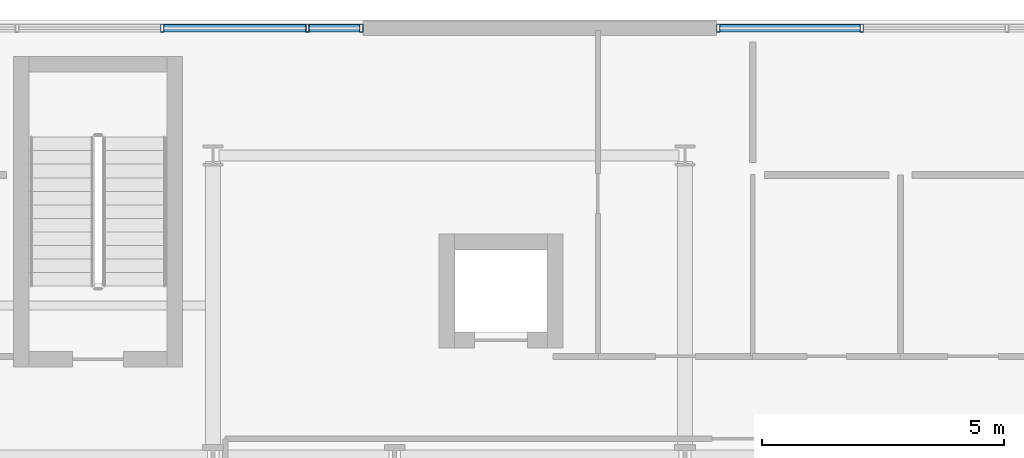
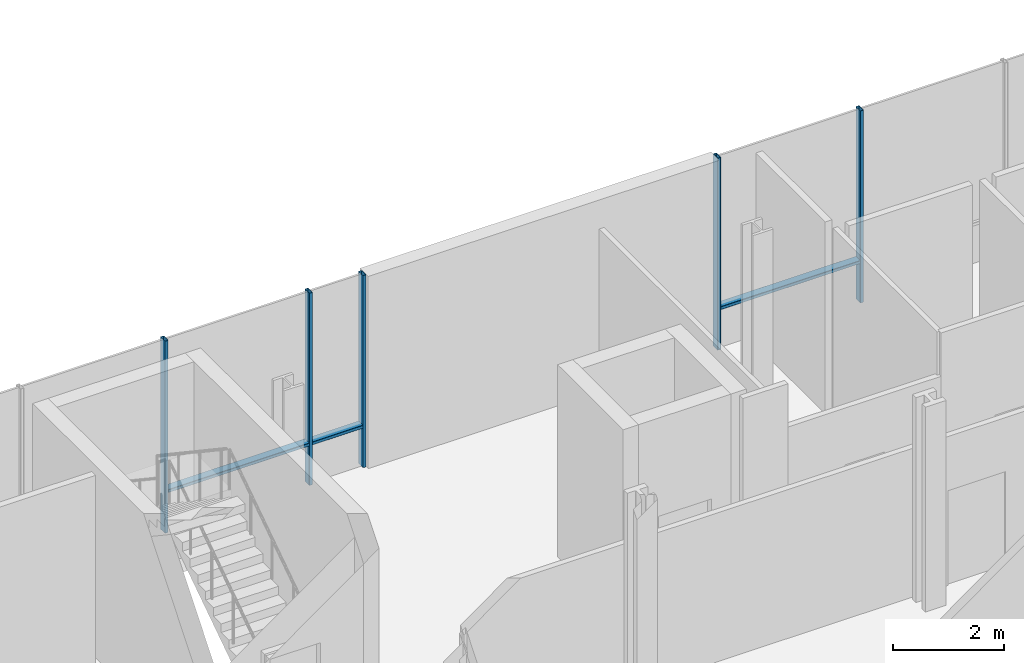
# One storey, part 11 of 25: 8 members, 2 elements without a shape of their own.
"""IFC4 building model written with IfcOpenShell, lengths in metres."""

from ifc_helpers import new_model, si_unit, direction, frame, origin, origin_2d, place, context, subcontext, project, spatial, hollow_rectangle, extrude, material, layer, layer_set, material_profile, profile_set, type_object, element, aggregate, save


model = new_model("IFC4")

# Units and contexts
model_context = context("Model", 3, precision=1e-05, world=origin(), true_north=direction((0.0, 1.0)))
body_context = subcontext(model_context, "Body", "Model", "MODEL_VIEW")
ifc_project = project(units=[si_unit("LENGTHUNIT", "METRE"), si_unit("AREAUNIT", "SQUARE_METRE"), si_unit("VOLUMEUNIT", "CUBIC_METRE"), si_unit("PLANEANGLEUNIT", "RADIAN"), si_unit("MASSUNIT", "GRAM", prefix="KILO")], contexts=[model_context])

# Site, building, storey
site_placement = place(None, origin())
site = spatial("IfcSite", under=ifc_project, at=site_placement, CompositionType="ELEMENT")
building_placement = place(site_placement, origin())
building = spatial("IfcBuilding", under=site, at=building_placement, Name="Brevholm Reach", CompositionType="ELEMENT")
storey_placement = place(building_placement, frame((0.0, 0.0, 4.5)))
storey = spatial("IfcBuildingStorey", under=building, at=storey_placement, Name="L01", CompositionType="ELEMENT", Elevation=4.5)

# Curtain wall, members
ifc_material_1 = material(Name="Dark Anodised Aluminium 6063-T6 and Solar-Control Glass", Category="aluminium")
ifc_layer = layer(ifc_material_1, 0.1650390625)
ifc_layer_set = layer_set([ifc_layer], Name="Dark Anodised Aluminium 6063-T6 and Solar-Control Glass")
curtain_wall_type = type_object("IfcCurtainWallType", Name="CW-03", PredefinedType="NOTDEFINED", material=ifc_layer_set)
curtain_wall_1_placement = place(storey_placement, origin())
curtain_wall_1 = element("IfcCurtainWall", 1, at=curtain_wall_1_placement, inside=storey, type_object=curtain_wall_type, Name="L01 Curtain Wall CW-03", PredefinedType="NOTDEFINED")
ifc_material_2 = material(Name="Dark Anodised Aluminium 6063-T6", Category="aluminium")
ifc_material_profile_1 = material_profile(ifc_material_2, hollow_rectangle(XDim=0.070068359375, YDim=0.1650390625, WallThickness=0.0048828125, InnerFilletRadius=0.0048828125, OuterFilletRadius=0.010009765625, at=origin_2d()), Name="RHS 165x70x5")
ifc_profile_set_1 = profile_set([ifc_material_profile_1], Name="Dark Anodised Aluminium 6063-T6")
member_type_1 = type_object("IfcMemberType", Name="CWM-165", PredefinedType="MULLION", material=ifc_profile_set_1)
member_1_placement = place(storey_placement, frame((37.199951171875, 39.830078125, 0.0), z_axis=(0.0, 0.0, 1.0), x_axis=(1.0, 0.0, 0.0)))
member_1 = element("IfcMember", 2, at=member_1_placement, type_object=member_type_1, Name="CM-165 Mullion 4", PredefinedType="MULLION", context=body_context, shape_type="SweptSolid", body=[
    extrude(hollow_rectangle(XDim=0.070068359375, YDim=0.1650390625, WallThickness=0.0048828125, InnerFilletRadius=0.0048828125, OuterFilletRadius=0.010009765625, at=origin_2d()), origin(), (0.0, 0.0, 1.0), 4.219970703125),
])
member_2_placement = place(storey_placement, frame((40.199951171875, 39.830078125, 0.0), z_axis=(0.0, 0.0, 1.0), x_axis=(1.0, 0.0, 0.0)))
member_2 = element("IfcMember", 3, at=member_2_placement, type_object=member_type_1, Name="CM-165 Mullion 5", PredefinedType="MULLION", context=body_context, shape_type="SweptSolid", body=[
    extrude(hollow_rectangle(XDim=0.070068359375, YDim=0.1650390625, WallThickness=0.0048828125, InnerFilletRadius=0.0048828125, OuterFilletRadius=0.010009765625, at=origin_2d()), origin(), (0.0, 0.0, 1.0), 4.219970703125),
])
member_3_placement = place(storey_placement, frame((41.31494140625, 39.830078125, 0.0), z_axis=(0.0, 0.0, 1.0), x_axis=(1.0, 0.0, 0.0)))
member_3 = element("IfcMember", 4, at=member_3_placement, type_object=member_type_1, Name="CM-165 Mullion 6", PredefinedType="MULLION", context=body_context, shape_type="SweptSolid", body=[
    extrude(hollow_rectangle(XDim=0.070068359375, YDim=0.1650390625, WallThickness=0.0048828125, InnerFilletRadius=0.0048828125, OuterFilletRadius=0.010009765625, at=origin_2d()), origin(), (0.0, 0.0, 1.0), 4.219970703125),
])

curtain_wall_2_placement = place(storey_placement, origin())
curtain_wall_2 = element("IfcCurtainWall", 5, at=curtain_wall_2_placement, inside=storey, type_object=curtain_wall_type, Name="L01 Curtain Wall CW-03", PredefinedType="NOTDEFINED")
member_4_placement = place(storey_placement, frame((48.68505859375, 39.830078125, 0.0), z_axis=(0.0, 0.0, 1.0), x_axis=(1.0, 0.0, 0.0)))
member_4 = element("IfcMember", 6, at=member_4_placement, type_object=member_type_1, Name="CM-165 Mullion 1", PredefinedType="MULLION", context=body_context, shape_type="SweptSolid", body=[
    extrude(hollow_rectangle(XDim=0.070068359375, YDim=0.1650390625, WallThickness=0.0048828125, InnerFilletRadius=0.0048828125, OuterFilletRadius=0.010009765625, at=origin_2d()), origin(), (0.0, 0.0, 1.0), 4.219970703125),
])
member_5_placement = place(storey_placement, frame((51.64990234375, 39.830078125, 0.0), z_axis=(0.0, 0.0, 1.0), x_axis=(1.0, 0.0, 0.0)))
member_5 = element("IfcMember", 7, at=member_5_placement, type_object=member_type_1, Name="CM-165 Mullion 2", PredefinedType="MULLION", context=body_context, shape_type="SweptSolid", body=[
    extrude(hollow_rectangle(XDim=0.070068359375, YDim=0.1650390625, WallThickness=0.0048828125, InnerFilletRadius=0.0048828125, OuterFilletRadius=0.010009765625, at=origin_2d()), origin(), (0.0, 0.0, 1.0), 4.219970703125),
])

# Member
ifc_material_3 = material(Name="Dark Anodised Aluminium 6063-T6", Category="aluminium")
ifc_material_profile_2 = material_profile(ifc_material_3, hollow_rectangle(XDim=0.070068359375, YDim=0.1650390625, WallThickness=0.0048828125, InnerFilletRadius=0.0048828125, OuterFilletRadius=0.010009765625, at=origin_2d()), Name="RHS 165x70x5")
ifc_profile_set_2 = profile_set([ifc_material_profile_2], Name="Dark Anodised Aluminium 6063-T6")
member_type_2 = type_object("IfcMemberType", Name="CWT-165", PredefinedType="NOTDEFINED", material=ifc_profile_set_2)
member_6_placement = place(storey_placement, frame((37.235107421875, 39.830078125, 0.89990234375), z_axis=(1.0, 0.0, 0.0), x_axis=(0.0, 0.0, 1.0)))
member_6 = element("IfcMember", 8, at=member_6_placement, type_object=member_type_2, Name="CT-165 Transom 4.1", ObjectType="TRANSOM", PredefinedType="USERDEFINED", context=body_context, shape_type="SweptSolid", body=[
    extrude(hollow_rectangle(XDim=0.070068359375, YDim=0.1650390625, WallThickness=0.0048828125, InnerFilletRadius=0.0048828125, OuterFilletRadius=0.010009765625, at=origin_2d()), origin(), (0.0, 0.0, 1.0), 2.929931640625),
])

member_7_placement = place(storey_placement, frame((40.235107421875, 39.830078125, 0.89990234375), z_axis=(1.0, 0.0, 0.0), x_axis=(0.0, 0.0, 1.0)))
member_7 = element("IfcMember", 9, at=member_7_placement, type_object=member_type_2, Name="CT-165 Transom 5.1", ObjectType="TRANSOM", PredefinedType="USERDEFINED", context=body_context, shape_type="SweptSolid", body=[
    extrude(hollow_rectangle(XDim=0.070068359375, YDim=0.1650390625, WallThickness=0.0048828125, InnerFilletRadius=0.0048828125, OuterFilletRadius=0.010009765625, at=origin_2d()), origin(), (0.0, 0.0, 1.0), 1.044921875),
])

aggregate(curtain_wall_1, [member_1, member_2, member_3, member_6, member_7])

member_8_placement = place(storey_placement, frame((48.719970703125, 39.830078125, 0.89990234375), z_axis=(1.0, 0.0, 0.0), x_axis=(0.0, 0.0, 1.0)))
member_8 = element("IfcMember", 10, at=member_8_placement, type_object=member_type_2, Name="CT-165 Transom 1.1", ObjectType="TRANSOM", PredefinedType="USERDEFINED", context=body_context, shape_type="SweptSolid", body=[
    extrude(hollow_rectangle(XDim=0.070068359375, YDim=0.1650390625, WallThickness=0.0048828125, InnerFilletRadius=0.0048828125, OuterFilletRadius=0.010009765625, at=origin_2d()), origin(), (0.0, 0.0, 1.0), 2.89501953125),
])

aggregate(curtain_wall_2, [member_4, member_5, member_8])

save(model, "model.ifc")
